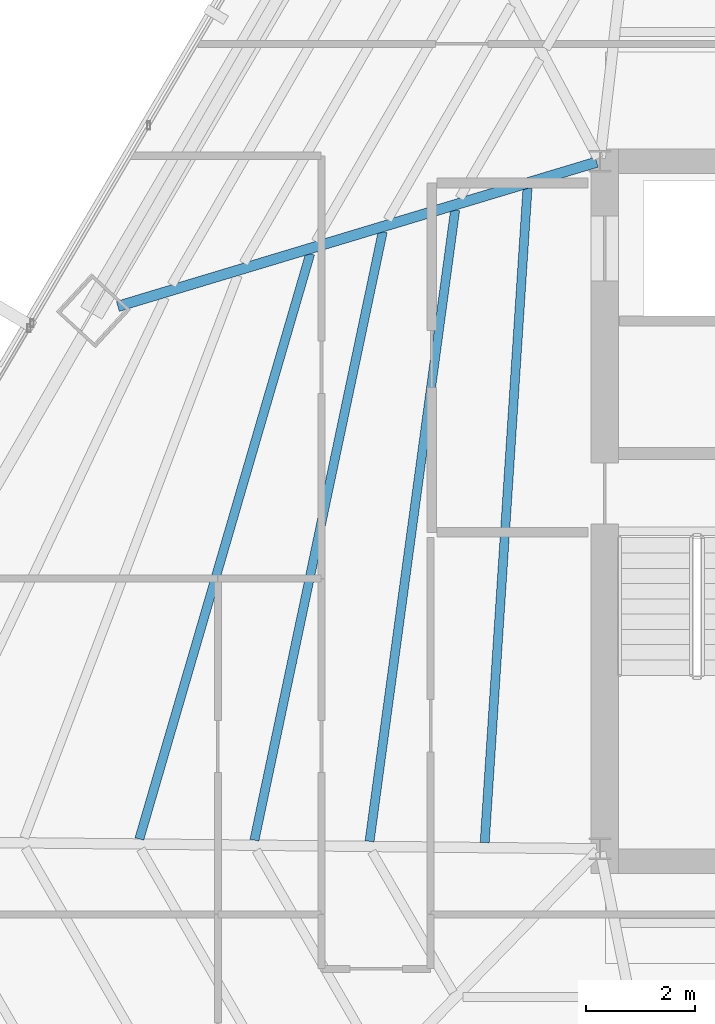
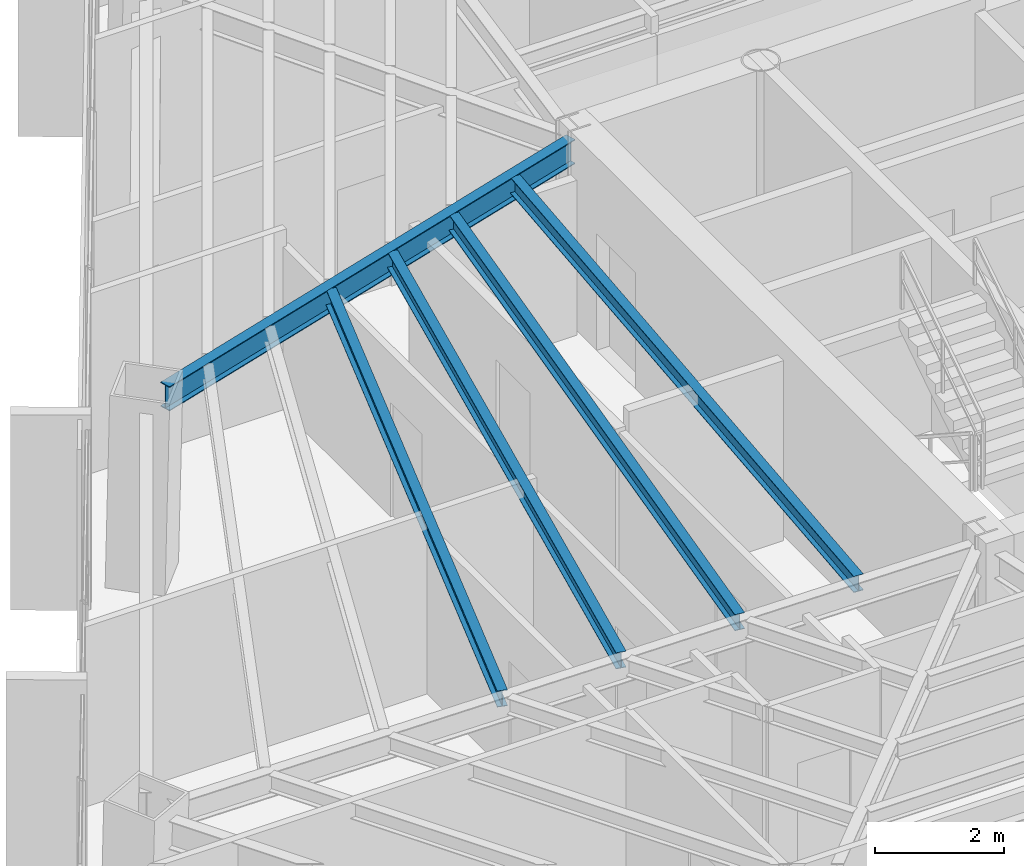
# One storey, part 13 of 41: 5 beams.
"""IFC4 building model written with IfcOpenShell, lengths in metres."""

import ifcopenshell
import ifcopenshell.guid

model = None  # the IFC model being written
_history = None  # IfcOwnerHistory: only IFC2X3 demands one
_inside = {}  # id of a spatial element -> (the spatial element, [elements in it])
_under = {}  # id of a project, library or spatial element -> (it, [spatial elements below it])
_declared = {}  # id of a project -> (the project, [libraries it declares])
_typed = {}  # id of a type object -> (the type object, [elements of that type])
_made_of = {}  # id of a material, layer set ... -> (it, [elements and type objects made of it])


def new_model(schema):
    """Start an empty IFC model of exactly this schema.

    Asked for "IFC4X3", IfcOpenShell would pick the latest addendum, in which some entities
    have other attributes; the version numbers below select the first issue.
    IFC2X3 requires an IfcOwnerHistory on every rooted entity: one is made here for all.
    """
    global model, _history
    if schema == "IFC4X3":
        model = ifcopenshell.file(schema_version=(4, 3, 0, 0))
    else:
        model = ifcopenshell.file(schema=schema)
    _inside.clear()
    _under.clear()
    _declared.clear()
    _typed.clear()
    _made_of.clear()
    _history = None
    if model.schema == "IFC2X3":
        org = make("IfcOrganization", Name="unknown")
        user = make(
            "IfcPersonAndOrganization",
            ThePerson=make("IfcPerson", FamilyName="unknown"),
            TheOrganization=org,
        )
        app = make(
            "IfcApplication",
            ApplicationDeveloper=org,
            Version="unknown",
            ApplicationFullName="unknown",
            ApplicationIdentifier="unknown",
        )
        _history = make(
            "IfcOwnerHistory",
            OwningUser=user,
            OwningApplication=app,
            ChangeAction="ADDED",
            CreationDate=0,
        )
    return model


def make(cls, **values):
    """One entity of the class cls with the attributes given. An attribute that is None is left unset."""
    return model.create_entity(
        cls, **{name: value for name, value in values.items() if value is not None}
    )


def rooted(cls, **values):
    """An entity with a GlobalId (a new one), such as an element, a storey or a relation."""
    return make(cls, GlobalId=ifcopenshell.guid.new(), OwnerHistory=_history, **values)


def si_unit(unit_type, name, prefix=None):
    """IfcSIUnit, for example si_unit("LENGTHUNIT", "METRE", prefix="MILLI")."""
    return make("IfcSIUnit", UnitType=unit_type, Prefix=prefix, Name=name)


def assignment(units):
    """IfcUnitAssignment: the units of a project."""
    return None if units is None else make("IfcUnitAssignment", Units=units)


def point(xyz):
    """IfcCartesianPoint."""
    return None if xyz is None else make("IfcCartesianPoint", Coordinates=xyz)


def direction(xyz):
    """IfcDirection."""
    return None if xyz is None else make("IfcDirection", DirectionRatios=xyz)


def frame(location, z_axis=None, x_axis=None):
    """IfcAxis2Placement3D, a coordinate frame: its origin and axes. An axis left out is left unset."""
    return make(
        "IfcAxis2Placement3D",
        Location=point(location),
        Axis=direction(z_axis),
        RefDirection=direction(x_axis),
    )


def frame_2d(location, x_axis=None):
    """IfcAxis2Placement2D, a coordinate frame in the plane: its origin and x axis."""
    return make(
        "IfcAxis2Placement2D", Location=point(location), RefDirection=direction(x_axis)
    )


def origin():
    """The frame at (0, 0, 0) with its axes left unset."""
    return frame((0.0, 0.0, 0.0))


def origin_2d():
    """The frame at (0, 0) in the plane with its x axis left unset."""
    return frame_2d((0.0, 0.0))


def place(relative_to, where):
    """IfcLocalPlacement: puts the frame where relative to a parent placement (None: the world)."""
    return make(
        "IfcLocalPlacement", PlacementRelTo=relative_to, RelativePlacement=where
    )


def context(
    kind, dimensions, precision=None, world=None, true_north=None, identifier=None
):
    """IfcGeometricRepresentationContext, for example the 3D "Model" context."""
    return make(
        "IfcGeometricRepresentationContext",
        ContextIdentifier=identifier,
        ContextType=kind,
        CoordinateSpaceDimension=dimensions,
        Precision=precision,
        WorldCoordinateSystem=world,
        TrueNorth=true_north,
    )


def subcontext(parent, identifier, kind, view, scale=None):
    """IfcGeometricRepresentationSubContext, for example "Body" below "Model"."""
    return make(
        "IfcGeometricRepresentationSubContext",
        ContextIdentifier=identifier,
        ContextType=kind,
        ParentContext=parent,
        TargetScale=scale,
        TargetView=view,
    )


def project(units=None, contexts=None):
    """IfcProject with its units and contexts."""
    return rooted(
        "IfcProject",
        Name="project",
        RepresentationContexts=contexts,
        UnitsInContext=assignment(units),
    )


def spatial(cls, under=None, at=None, **own):
    """A site, building, storey or space (cls), placed at a placement, below another one or the project."""
    s = rooted(cls, ObjectPlacement=at, **own)
    if under is not None:
        _under.setdefault(under.id(), (under, []))[1].append(s)
    return s


def profile(cls, at=None, kind="AREA", **sizes):
    """A parametric profile (cls). Its sizes go by their IFC names, for example OverallWidth=200.0."""
    return make(cls, ProfileType=kind, Position=at, **sizes)


def i_section(**sizes):
    """IfcIShapeProfileDef."""
    return profile("IfcIShapeProfileDef", **sizes)


def extrude(swept, where, along, depth):
    """IfcExtrudedAreaSolid: the profile swept, set in the frame where, extruded along a direction by depth."""
    return make(
        "IfcExtrudedAreaSolid",
        SweptArea=swept,
        Position=where,
        ExtrudedDirection=direction(along),
        Depth=depth,
    )


def shape(context_of_items, identifier, shape_type, items):
    """IfcShapeRepresentation: the items that make up one representation, for example the "Body"."""
    return make(
        "IfcShapeRepresentation",
        ContextOfItems=context_of_items,
        RepresentationIdentifier=identifier,
        RepresentationType=shape_type,
        Items=items,
    )


def source(mapping_origin, context_of_items, identifier, shape_type, items):
    """IfcRepresentationMap: a shape defined once, which mapped items show again and again."""
    return make(
        "IfcRepresentationMap",
        MappingOrigin=mapping_origin,
        MappedRepresentation=shape(context_of_items, identifier, shape_type, items),
    )


def transform(
    local_origin,
    x_axis=None,
    y_axis=None,
    z_axis=None,
    scale=None,
    scale2=None,
    scale3=None,
    uniform=True,
):
    """IfcCartesianTransformationOperator3D, or its non-uniform kind. x_axis, y_axis, z_axis: its Axis1, 2, 3."""
    if uniform:
        return make(
            "IfcCartesianTransformationOperator3D",
            Axis1=direction(x_axis),
            Axis2=direction(y_axis),
            LocalOrigin=point(local_origin),
            Scale=scale,
            Axis3=direction(z_axis),
        )
    return make(
        "IfcCartesianTransformationOperator3DnonUniform",
        Axis1=direction(x_axis),
        Axis2=direction(y_axis),
        LocalOrigin=point(local_origin),
        Scale=scale,
        Axis3=direction(z_axis),
        Scale2=scale2,
        Scale3=scale3,
    )


def mapped(mapping_source, mapping_target):
    """IfcMappedItem: shows the shape of a source again, moved by a transform."""
    return make(
        "IfcMappedItem", MappingSource=mapping_source, MappingTarget=mapping_target
    )


def material(Name=None, Category=None):
    """IfcMaterial."""
    return make("IfcMaterial", Name=Name, Category=Category)


def material_profile(
    of_material, cross_section, Name=None, Category=None, Priority=None
):
    """IfcMaterialProfile: a cross section and its material."""
    return make(
        "IfcMaterialProfile",
        Name=Name,
        Material=of_material,
        Profile=cross_section,
        Priority=Priority,
        Category=Category,
    )


def profile_set(profiles, Name=None, composite=None):
    """IfcMaterialProfileSet."""
    return make(
        "IfcMaterialProfileSet",
        Name=Name,
        MaterialProfiles=profiles,
        CompositeProfile=composite,
    )


def made_of(thing, what):
    """Note that an element or type object is made of a material, layer set ...; save() writes the relation."""
    if what is not None:
        _made_of.setdefault(what.id(), (what, []))[1].append(thing)
    return thing


def type_object(cls, material=None, **own):
    """A type object (cls), such as IfcWallType, which elements share."""
    return made_of(rooted(cls, **own), material)


def type_shapes(of_type, sources):
    """Give a type object the sources (RepresentationMaps) that its elements show as mapped items."""
    of_type.RepresentationMaps = sources


def element(
    cls,
    number,
    at=None,
    inside=None,
    cuts=None,
    type_object=None,
    material=None,
    context=None,
    identifier="Body",
    shape_type=None,
    held_by="IfcProductDefinitionShape",
    body=None,
    shapes=None,
    **own,
):
    """One element of the class cls, such as IfcWall. Its Tag is "e" and its number.

    at: its placement. inside: the storey or other place that contains it. cuts: it is an
    opening in that element (IfcRelVoidsElement). A single representation is given by context,
    identifier, shape_type and body (its items); several are given by shapes. held_by: the class
    of the entity that holds the representations. save() writes the other relations.
    """
    e = rooted(cls, Tag="e%d" % number, ObjectPlacement=at, **own)
    if body is not None:
        shapes = [shape(context, identifier, shape_type, body)]
    if shapes is not None:
        e.Representation = make(held_by, Representations=shapes)
    if inside is not None:
        _inside.setdefault(inside.id(), (inside, []))[1].append(e)
    if cuts is not None:
        rooted(
            "IfcRelVoidsElement", RelatingBuildingElement=cuts, RelatedOpeningElement=e
        )
    if type_object is not None:
        _typed.setdefault(type_object.id(), (type_object, []))[1].append(e)
    return made_of(e, material)


def aggregate(whole, parts):
    """IfcRelAggregates: a whole, such as a stair, and the parts it consists of."""
    return rooted("IfcRelAggregates", RelatingObject=whole, RelatedObjects=parts)


def save(model, path):
    """Write the relations noted so far, then the file.

    IfcRelAggregates (storeys below a building ...), IfcRelContainedInSpatialStructure (elements
    in a storey), IfcRelDefinesByType, IfcRelAssociatesMaterial and IfcRelDeclares: one each for
    every whole, place, type object, material and project.
    """
    for whole, parts in _under.values():
        aggregate(whole, parts)
    for where, things in _inside.values():
        rooted(
            "IfcRelContainedInSpatialStructure",
            RelatedElements=things,
            RelatingStructure=where,
        )
    for kind, things in _typed.values():
        rooted("IfcRelDefinesByType", RelatedObjects=things, RelatingType=kind)
    for what, things in _made_of.values():
        rooted("IfcRelAssociatesMaterial", RelatedObjects=things, RelatingMaterial=what)
    for by, libraries in _declared.values():
        rooted("IfcRelDeclares", RelatingContext=by, RelatedDefinitions=libraries)
    model.write(path)


model = new_model("IFC4")

# Units and contexts
model_context = context("Model", 3, precision=1e-05, world=origin(), true_north=direction((0.0, 1.0)))
body_context = subcontext(model_context, "Body", "Model", "MODEL_VIEW")
ifc_project = project(units=[si_unit("LENGTHUNIT", "METRE"), si_unit("AREAUNIT", "SQUARE_METRE"), si_unit("VOLUMEUNIT", "CUBIC_METRE"), si_unit("PLANEANGLEUNIT", "RADIAN"), si_unit("MASSUNIT", "GRAM", prefix="KILO")], contexts=[model_context])

# Site, building, storey
site_placement = place(None, origin())
site = spatial("IfcSite", under=ifc_project, at=site_placement, CompositionType="ELEMENT")
building_placement = place(site_placement, origin())
building = spatial("IfcBuilding", under=site, at=building_placement, Name="Caelisora Broadcast Tower", CompositionType="ELEMENT")
storey_placement = place(building_placement, frame((0.0, 0.0, 180.39990234375)))
storey = spatial("IfcBuildingStorey", under=building, at=storey_placement, Name="L47", CompositionType="ELEMENT", Elevation=180.39990234375)

# Beams
ifc_material = material(Name="Steel Grade 350 (AS/NZS 3679.1)", Category="steel")
ifc_material_profile_1 = material_profile(ifc_material, i_section(OverallWidth=0.19091796875, OverallDepth=0.46044921875, WebThickness=0.010009765625, FlangeThickness=0.01611328125, at=origin_2d()), Name="Steel Grade 350 (AS/NZS 3679.1)")
ifc_profile_set_1 = profile_set([ifc_material_profile_1], Name="Steel Grade 350 (AS/NZS 3679.1)")
beam_type_1 = type_object("IfcBeamType", Name="PG06", PredefinedType="BEAM", material=ifc_profile_set_1)
shared_shape_1 = source(origin(), body_context, "Body", "SweptSolid", [
    extrude(i_section(OverallWidth=0.19091796875, OverallDepth=0.46044921875, WebThickness=0.010009765625, FlangeThickness=0.01611328125, at=origin_2d()), origin(), (0.0, 0.0, 1.0), 9.163818359375),
])
type_shapes(beam_type_1, [shared_shape_1])
beam_1_placement = place(storey_placement, frame((30.442626953125, 29.982666015625, 3.169921875), z_axis=(-0.957495690128, -0.288447574764, 0.0), x_axis=(0.288447574764, -0.957495690128, 0.0)))
element("IfcBeam", 1, at=beam_1_placement, inside=storey, type_object=beam_type_1, Name="L47 beam PG06", PredefinedType="BEAM", context=body_context, shape_type="MappedRepresentation", body=[
    mapped(shared_shape_1, transform((0.0, 0.0, 0.0), scale=1.0)),
])
ifc_material_profile_2 = material_profile(ifc_material, i_section(OverallWidth=0.166015625, OverallDepth=0.30712890625, WebThickness=0.006591796875, FlangeThickness=0.01171875, at=origin_2d()), Name="Steel Grade 350 (AS/NZS 3679.1)")
ifc_profile_set_2 = profile_set([ifc_material_profile_2], Name="Steel Grade 350 (AS/NZS 3679.1)")
beam_type_2 = type_object("IfcBeamType", Name="SB03", PredefinedType="JOIST", material=ifc_profile_set_2)
shared_shape_2 = source(origin(), body_context, "Body", "SweptSolid", [
    extrude(i_section(OverallWidth=0.166015625, OverallDepth=0.30712890625, WebThickness=0.006591796875, FlangeThickness=0.01171875, at=origin_2d()), origin(), (0.0, 0.0, 1.0), 12.01513671875),
])
beam_2_placement = place(storey_placement, frame((29.17431640625, 29.50390625, 3.24658203125), z_axis=(-0.065286308005, -0.997866573239, 0.0), x_axis=(0.997866573239, -0.065286308005, 0.0)))
element("IfcBeam", 2, at=beam_2_placement, inside=storey, type_object=beam_type_2, Name="L47 beam SB03", PredefinedType="JOIST", context=body_context, shape_type="MappedRepresentation", body=[
    mapped(shared_shape_2, transform((0.0, 0.0, 0.0), scale=1.0)),
])
shared_shape_3 = source(origin(), body_context, "Body", "SweptSolid", [
    extrude(i_section(OverallWidth=0.166015625, OverallDepth=0.30712890625, WebThickness=0.006591796875, FlangeThickness=0.01171875, at=origin_2d()), origin(), (0.0, 0.0, 1.0), 11.673583984375),
])
beam_3_placement = place(storey_placement, frame((27.84814453125, 29.104248046875, 3.24658203125), z_axis=(-0.134329213825, -0.990936759997, 0.0), x_axis=(0.990936759997, -0.134329213825, 0.0)))
element("IfcBeam", 3, at=beam_3_placement, inside=storey, type_object=beam_type_2, Name="L47 beam SB03", PredefinedType="JOIST", context=body_context, shape_type="MappedRepresentation", body=[
    mapped(shared_shape_3, transform((0.0, 0.0, 0.0), scale=1.0)),
])
shared_shape_4 = source(origin(), body_context, "Body", "SweptSolid", [
    extrude(i_section(OverallWidth=0.166015625, OverallDepth=0.30712890625, WebThickness=0.006591796875, FlangeThickness=0.01171875, at=origin_2d()), origin(), (0.0, 0.0, 1.0), 11.39111328125),
])
beam_4_placement = place(storey_placement, frame((26.520751953125, 28.704345703125, 3.24658203125), z_axis=(-0.20631075595, -0.978486521103, 0.0), x_axis=(0.978486521103, -0.20631075595, 0.0)))
element("IfcBeam", 4, at=beam_4_placement, inside=storey, type_object=beam_type_2, Name="L47 beam SB03", PredefinedType="JOIST", context=body_context, shape_type="MappedRepresentation", body=[
    mapped(shared_shape_4, transform((0.0, 0.0, 0.0), scale=1.0)),
])
shared_shape_5 = source(origin(), body_context, "Body", "SweptSolid", [
    extrude(i_section(OverallWidth=0.166015625, OverallDepth=0.30712890625, WebThickness=0.006591796875, FlangeThickness=0.01171875, at=origin_2d()), origin(), (0.0, 0.0, 1.0), 11.17138671875),
])
type_shapes(beam_type_2, [shared_shape_2, shared_shape_3, shared_shape_4, shared_shape_5])
beam_5_placement = place(storey_placement, frame((25.1923828125, 28.303955078125, 3.24658203125), z_axis=(-0.280212309376, -0.959938050956, 0.0), x_axis=(0.959938050956, -0.280212309376, 0.0)))
element("IfcBeam", 5, at=beam_5_placement, inside=storey, type_object=beam_type_2, Name="L47 beam SB03", PredefinedType="JOIST", context=body_context, shape_type="MappedRepresentation", body=[
    mapped(shared_shape_5, transform((0.0, 0.0, 0.0), scale=1.0)),
])

save(model, "model.ifc")
